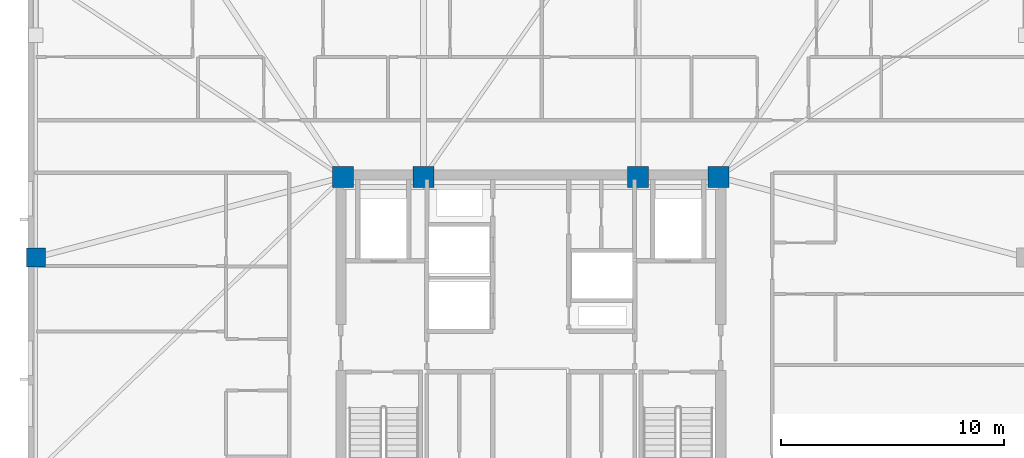
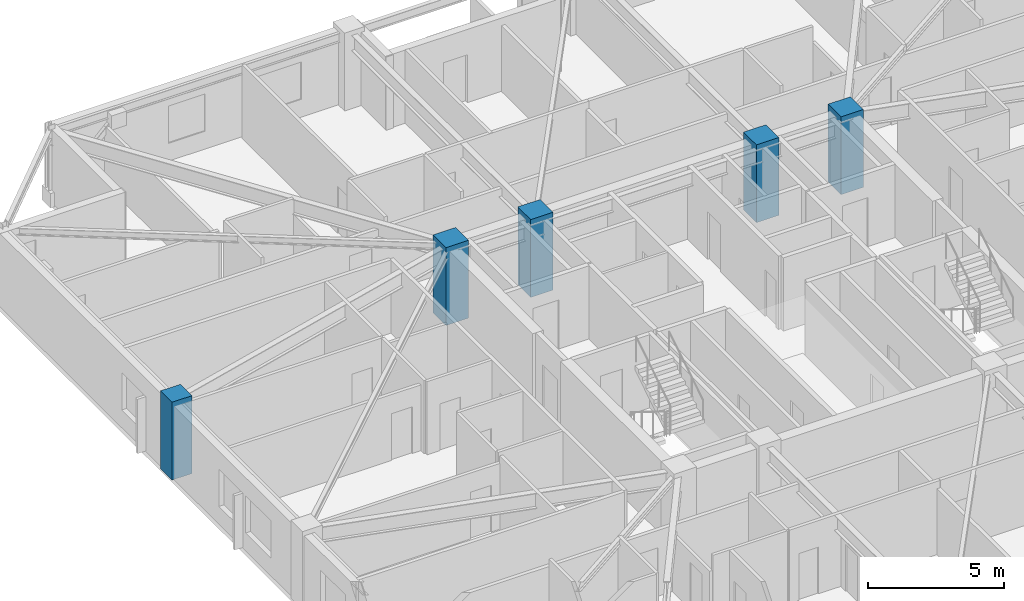
# One storey, part 2 of 17: 5 columns.
"""IFC4 building model written with IfcOpenShell, lengths in metres."""

from ifc_helpers import new_model, si_unit, direction, frame, origin, origin_2d, place, context, subcontext, project, spatial, rectangle, extrude, material, material_profile, profile_set, type_object, element, save


model = new_model("IFC4")

# Units and contexts
model_context = context("Model", 3, precision=1e-05, world=origin(), true_north=direction((0.0, 1.0)))
body_context = subcontext(model_context, "Body", "Model", "MODEL_VIEW")
ifc_project = project(units=[si_unit("LENGTHUNIT", "METRE"), si_unit("AREAUNIT", "SQUARE_METRE"), si_unit("VOLUMEUNIT", "CUBIC_METRE"), si_unit("PLANEANGLEUNIT", "RADIAN"), si_unit("MASSUNIT", "GRAM", prefix="KILO")], contexts=[model_context])

# Site, building, storey
site_placement = place(None, origin())
site = spatial("IfcSite", under=ifc_project, at=site_placement, CompositionType="ELEMENT")
building_placement = place(site_placement, origin())
building = spatial("IfcBuilding", under=site, at=building_placement, Name="Cairnveth Concourse Tower", CompositionType="ELEMENT")
storey_placement = place(building_placement, frame((0.0, 0.0, 206.0)))
storey = spatial("IfcBuildingStorey", under=building, at=storey_placement, Name="L56", CompositionType="ELEMENT", Elevation=206.0)

# Columns
ifc_material = material(Name="Concrete N65 (65 MPa)", Category="concrete")
ifc_material_profile_1 = material_profile(ifc_material, rectangle(XDim=0.949951171875, YDim=0.949951171875, at=origin_2d()), Name="RC-COL-950x950")
ifc_profile_set_1 = profile_set([ifc_material_profile_1], Name="Concrete N65 (65 MPa)")
column_type_1 = type_object("IfcColumnType", Name="CORE COLUMN 950X950", PredefinedType="COLUMN", material=ifc_profile_set_1)
for number, where, z_axis, x_axis, name in (
    (1, (43.60009765625, 47.39990234375, 0.0), (0.0, 0.0, 1.0), (1.0, 0.0, 0.0), "Column CC5 L56"),
    (2, (47.199951171875, 47.39990234375, 0.0), (0.0, 0.0, 1.0), (1.0, 0.0, 0.0), "Column CC6 L56"),
    (3, (56.800048828125, 47.39990234375, 0.0), (0.0, 0.0, 1.0), (1.0, 0.0, 0.0), "Column CC7 L56"),
    (4, (60.39990234375, 47.39990234375, 0.0), (0.0, 0.0, 1.0), (1.0, 0.0, 0.0), "Column CC8 L56"),
):
    element("IfcColumn", number, at=place(storey_placement, frame(where, z_axis=z_axis, x_axis=x_axis)), inside=storey, type_object=column_type_1, Name=name, PredefinedType="COLUMN", context=body_context, shape_type="SweptSolid", body=[
        extrude(rectangle(XDim=0.949951171875, YDim=0.949951171875, at=origin_2d()), origin(), (0.0, 0.0, 1.0), 3.5),
    ])
ifc_material_profile_2 = material_profile(ifc_material, rectangle(XDim=0.85009765625, YDim=0.85009765625, at=origin_2d()), Name="RC-COL-850x850")
ifc_profile_set_2 = profile_set([ifc_material_profile_2], Name="Concrete N65 (65 MPa)")
column_type_2 = type_object("IfcColumnType", Name="PERIMETER PIER COLUMN 850X850", PredefinedType="COLUMN", material=ifc_profile_set_2)
column_placement = place(storey_placement, frame((29.85009765625, 43.800048828125, 0.0), z_axis=(0.0, 0.0, 1.0), x_axis=(0.0, 1.0, 0.0)))
element("IfcColumn", 5, at=column_placement, inside=storey, type_object=column_type_2, Name="Column P-W2 L56", PredefinedType="COLUMN", context=body_context, shape_type="SweptSolid", body=[
    extrude(rectangle(XDim=0.85009765625, YDim=0.85009765625, at=origin_2d()), origin(), (0.0, 0.0, 1.0), 3.5),
])

save(model, "model.ifc")
